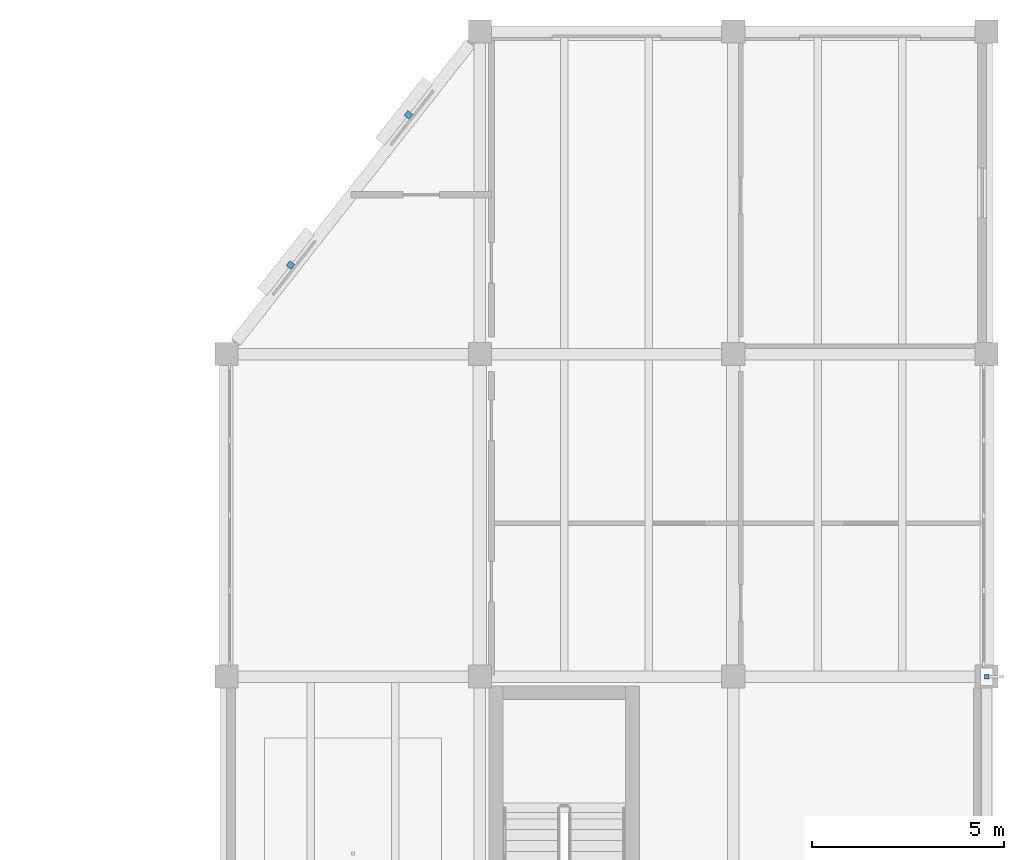
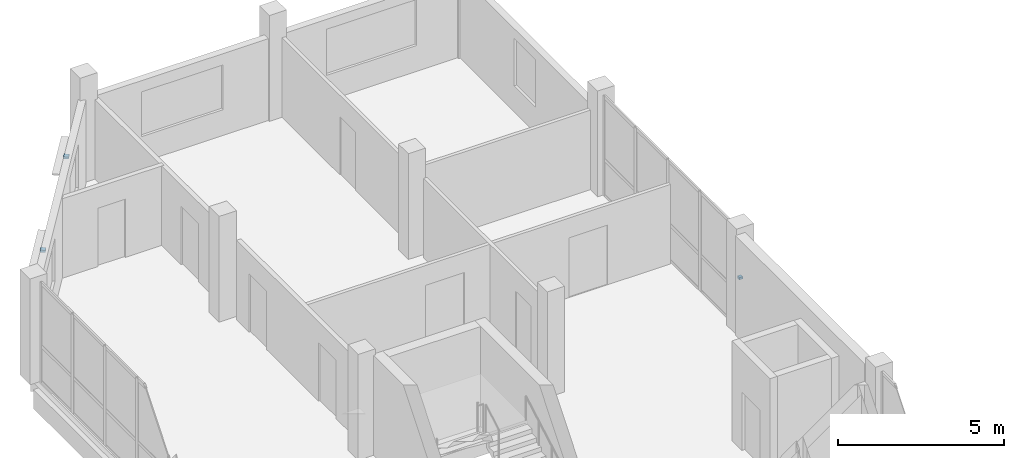
# One storey, part 10 of 12: 3 discrete accessories.
"""IFC4 building model written with IfcOpenShell, lengths in metres."""

from ifc_helpers import new_model, si_unit, direction, frame, origin, origin_2d, place, context, subcontext, project, spatial, rectangle, extrude, material, layer, layer_set, type_object, element, save


model = new_model("IFC4")

# Units and contexts
model_context = context("Model", 3, precision=1e-05, world=origin(), true_north=direction((0.0, 1.0)))
body_context = subcontext(model_context, "Body", "Model", "MODEL_VIEW")
ifc_project = project(units=[si_unit("LENGTHUNIT", "METRE"), si_unit("AREAUNIT", "SQUARE_METRE"), si_unit("VOLUMEUNIT", "CUBIC_METRE"), si_unit("PLANEANGLEUNIT", "RADIAN"), si_unit("MASSUNIT", "GRAM", prefix="KILO")], contexts=[model_context])

# Site, building, storey
site_placement = place(None, origin())
site = spatial("IfcSite", under=ifc_project, at=site_placement, CompositionType="ELEMENT")
building_placement = place(site_placement, origin())
building = spatial("IfcBuilding", under=site, at=building_placement, Name="Qaldarim Faculty of Natural and Applied Sciences", CompositionType="ELEMENT")
storey_placement = place(building_placement, frame((0.0, 0.0, 35.39990234375)))
storey = spatial("IfcBuildingStorey", under=building, at=storey_placement, Name="L08", CompositionType="ELEMENT", Elevation=35.39990234375)

# Discrete accessories
ifc_material = material(Name="Architectural stainless steel 316", Category="steel")
ifc_layer = layer(ifc_material, 0.080078125)
ifc_layer_set = layer_set([ifc_layer], Name="Architectural stainless steel 316")
discrete_accessory_type = type_object("IfcDiscreteAccessoryType", Name="FacadeBracket-SS120", PredefinedType="BRACKET", material=ifc_layer_set)
for number, where, z_axis, x_axis, name in (
    (1, (160.070068359375, 44.320068359375, 2.66015625), (0.0, 0.0, 1.0), (0.617818442277, 0.786320782112, 0.0), "Oblique solar louvre bracket SHD-OBL-NW-L08-1"),
    (2, (163.139892578125, 48.22998046875, 2.66015625), (0.0, 0.0, 1.0), (0.617818442277, 0.786320782112, 0.0), "Oblique solar louvre bracket SHD-OBL-NW-L08-2"),
):
    element("IfcDiscreteAccessory", number, at=place(storey_placement, frame(where, z_axis=z_axis, x_axis=x_axis)), inside=storey, type_object=discrete_accessory_type, Name=name, PredefinedType="BRACKET", context=body_context, shape_type="SweptSolid", body=[
        extrude(rectangle(XDim=0.159912109375, YDim=0.159912109375, at=origin_2d()), origin(), (0.0, 0.0, 1.0), 0.080078125),
    ])
discrete_accessory_placement = place(storey_placement, frame((178.199951171875, 33.60009765625, 1.800048828125), z_axis=(0.0, 0.0, 1.0), x_axis=(1.0, 0.0, 0.0)))
element("IfcDiscreteAccessory", 3, at=discrete_accessory_placement, inside=storey, type_object=discrete_accessory_type, Name="Tower fin bracket FIN-V5E-L08-Y05", PredefinedType="BRACKET", context=body_context, shape_type="SweptSolid", body=[
    extrude(rectangle(XDim=0.1201171875, YDim=0.1201171875, at=origin_2d()), origin(), (0.0, 0.0, 1.0), 0.080078125),
])

save(model, "model.ifc")
